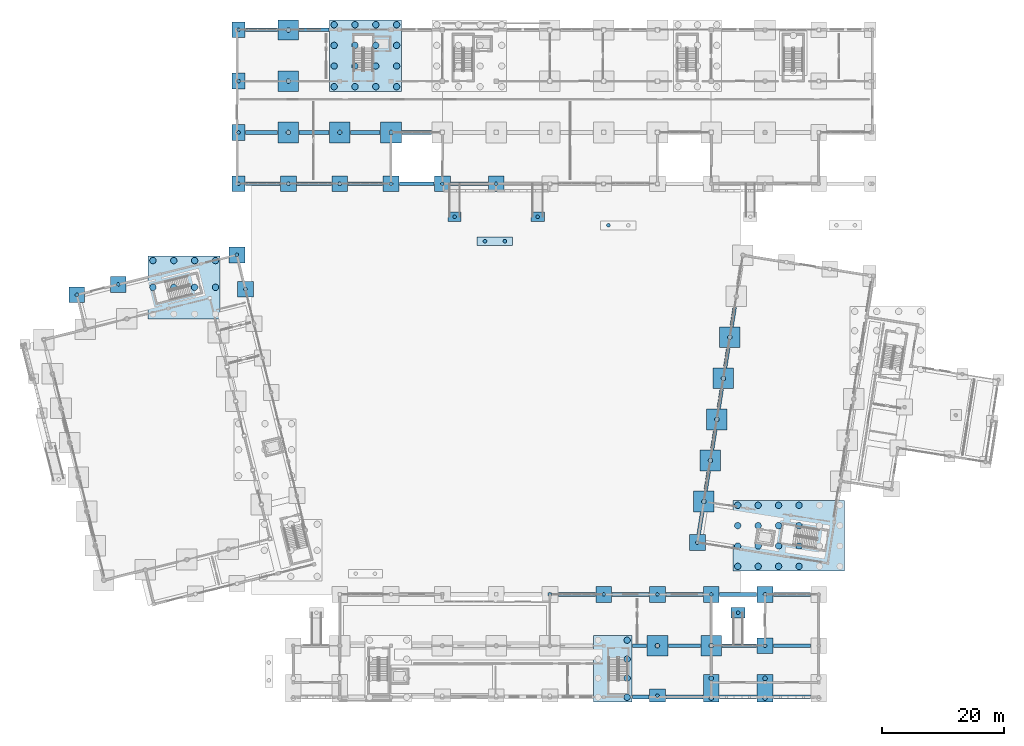
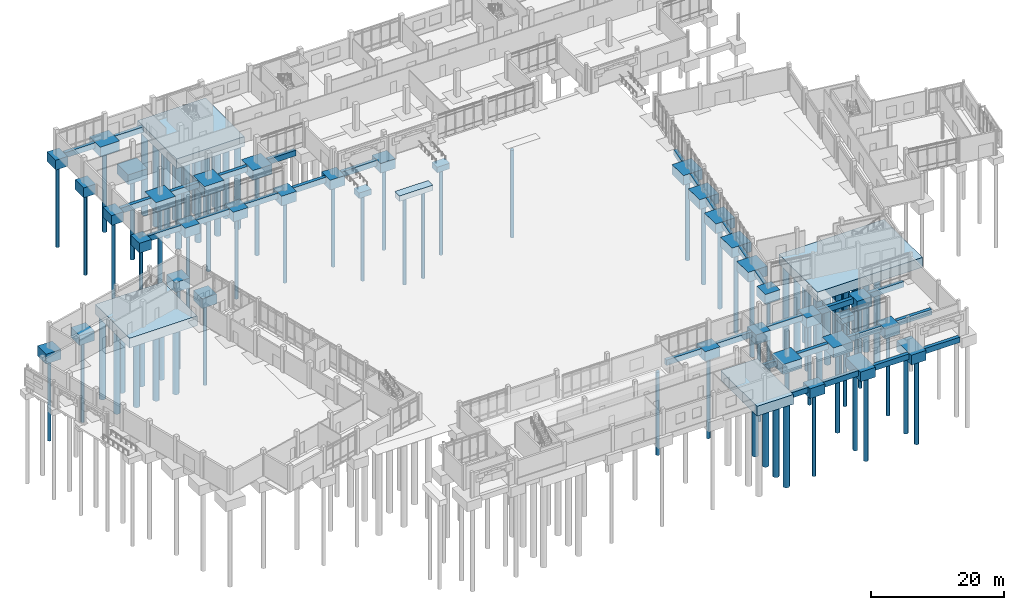
# One storey, part 2 of 72: 87 piles, 72 footings.
"""IFC4 building model written with IfcOpenShell, lengths in metres."""

import ifcopenshell
import ifcopenshell.guid

model = None  # the IFC model being written
_history = None  # IfcOwnerHistory: only IFC2X3 demands one
_inside = {}  # id of a spatial element -> (the spatial element, [elements in it])
_under = {}  # id of a project, library or spatial element -> (it, [spatial elements below it])
_declared = {}  # id of a project -> (the project, [libraries it declares])
_typed = {}  # id of a type object -> (the type object, [elements of that type])
_made_of = {}  # id of a material, layer set ... -> (it, [elements and type objects made of it])


def new_model(schema):
    """Start an empty IFC model of exactly this schema.

    Asked for "IFC4X3", IfcOpenShell would pick the latest addendum, in which some entities
    have other attributes; the version numbers below select the first issue.
    IFC2X3 requires an IfcOwnerHistory on every rooted entity: one is made here for all.
    """
    global model, _history
    if schema == "IFC4X3":
        model = ifcopenshell.file(schema_version=(4, 3, 0, 0))
    else:
        model = ifcopenshell.file(schema=schema)
    _inside.clear()
    _under.clear()
    _declared.clear()
    _typed.clear()
    _made_of.clear()
    _history = None
    if model.schema == "IFC2X3":
        org = make("IfcOrganization", Name="unknown")
        user = make(
            "IfcPersonAndOrganization",
            ThePerson=make("IfcPerson", FamilyName="unknown"),
            TheOrganization=org,
        )
        app = make(
            "IfcApplication",
            ApplicationDeveloper=org,
            Version="unknown",
            ApplicationFullName="unknown",
            ApplicationIdentifier="unknown",
        )
        _history = make(
            "IfcOwnerHistory",
            OwningUser=user,
            OwningApplication=app,
            ChangeAction="ADDED",
            CreationDate=0,
        )
    return model


def make(cls, **values):
    """One entity of the class cls with the attributes given. An attribute that is None is left unset."""
    return model.create_entity(
        cls, **{name: value for name, value in values.items() if value is not None}
    )


def rooted(cls, **values):
    """An entity with a GlobalId (a new one), such as an element, a storey or a relation."""
    return make(cls, GlobalId=ifcopenshell.guid.new(), OwnerHistory=_history, **values)


def si_unit(unit_type, name, prefix=None):
    """IfcSIUnit, for example si_unit("LENGTHUNIT", "METRE", prefix="MILLI")."""
    return make("IfcSIUnit", UnitType=unit_type, Prefix=prefix, Name=name)


def assignment(units):
    """IfcUnitAssignment: the units of a project."""
    return None if units is None else make("IfcUnitAssignment", Units=units)


def point(xyz):
    """IfcCartesianPoint."""
    return None if xyz is None else make("IfcCartesianPoint", Coordinates=xyz)


def direction(xyz):
    """IfcDirection."""
    return None if xyz is None else make("IfcDirection", DirectionRatios=xyz)


def frame(location, z_axis=None, x_axis=None):
    """IfcAxis2Placement3D, a coordinate frame: its origin and axes. An axis left out is left unset."""
    return make(
        "IfcAxis2Placement3D",
        Location=point(location),
        Axis=direction(z_axis),
        RefDirection=direction(x_axis),
    )


def frame_2d(location, x_axis=None):
    """IfcAxis2Placement2D, a coordinate frame in the plane: its origin and x axis."""
    return make(
        "IfcAxis2Placement2D", Location=point(location), RefDirection=direction(x_axis)
    )


def origin():
    """The frame at (0, 0, 0) with its axes left unset."""
    return frame((0.0, 0.0, 0.0))


def origin_2d():
    """The frame at (0, 0) in the plane with its x axis left unset."""
    return frame_2d((0.0, 0.0))


def place(relative_to, where):
    """IfcLocalPlacement: puts the frame where relative to a parent placement (None: the world)."""
    return make(
        "IfcLocalPlacement", PlacementRelTo=relative_to, RelativePlacement=where
    )


def context(
    kind, dimensions, precision=None, world=None, true_north=None, identifier=None
):
    """IfcGeometricRepresentationContext, for example the 3D "Model" context."""
    return make(
        "IfcGeometricRepresentationContext",
        ContextIdentifier=identifier,
        ContextType=kind,
        CoordinateSpaceDimension=dimensions,
        Precision=precision,
        WorldCoordinateSystem=world,
        TrueNorth=true_north,
    )


def subcontext(parent, identifier, kind, view, scale=None):
    """IfcGeometricRepresentationSubContext, for example "Body" below "Model"."""
    return make(
        "IfcGeometricRepresentationSubContext",
        ContextIdentifier=identifier,
        ContextType=kind,
        ParentContext=parent,
        TargetScale=scale,
        TargetView=view,
    )


def project(units=None, contexts=None):
    """IfcProject with its units and contexts."""
    return rooted(
        "IfcProject",
        Name="project",
        RepresentationContexts=contexts,
        UnitsInContext=assignment(units),
    )


def spatial(cls, under=None, at=None, **own):
    """A site, building, storey or space (cls), placed at a placement, below another one or the project."""
    s = rooted(cls, ObjectPlacement=at, **own)
    if under is not None:
        _under.setdefault(under.id(), (under, []))[1].append(s)
    return s


def profile(cls, at=None, kind="AREA", **sizes):
    """A parametric profile (cls). Its sizes go by their IFC names, for example OverallWidth=200.0."""
    return make(cls, ProfileType=kind, Position=at, **sizes)


def rectangle(**sizes):
    """IfcRectangleProfileDef."""
    return profile("IfcRectangleProfileDef", **sizes)


def circle(**sizes):
    """IfcCircleProfileDef."""
    return profile("IfcCircleProfileDef", **sizes)


def extrude(swept, where, along, depth):
    """IfcExtrudedAreaSolid: the profile swept, set in the frame where, extruded along a direction by depth."""
    return make(
        "IfcExtrudedAreaSolid",
        SweptArea=swept,
        Position=where,
        ExtrudedDirection=direction(along),
        Depth=depth,
    )


def shape(context_of_items, identifier, shape_type, items):
    """IfcShapeRepresentation: the items that make up one representation, for example the "Body"."""
    return make(
        "IfcShapeRepresentation",
        ContextOfItems=context_of_items,
        RepresentationIdentifier=identifier,
        RepresentationType=shape_type,
        Items=items,
    )


def material(Name=None, Category=None):
    """IfcMaterial."""
    return make("IfcMaterial", Name=Name, Category=Category)


def material_profile(
    of_material, cross_section, Name=None, Category=None, Priority=None
):
    """IfcMaterialProfile: a cross section and its material."""
    return make(
        "IfcMaterialProfile",
        Name=Name,
        Material=of_material,
        Profile=cross_section,
        Priority=Priority,
        Category=Category,
    )


def profile_set(profiles, Name=None, composite=None):
    """IfcMaterialProfileSet."""
    return make(
        "IfcMaterialProfileSet",
        Name=Name,
        MaterialProfiles=profiles,
        CompositeProfile=composite,
    )


def made_of(thing, what):
    """Note that an element or type object is made of a material, layer set ...; save() writes the relation."""
    if what is not None:
        _made_of.setdefault(what.id(), (what, []))[1].append(thing)
    return thing


def type_object(cls, material=None, **own):
    """A type object (cls), such as IfcWallType, which elements share."""
    return made_of(rooted(cls, **own), material)


def element(
    cls,
    number,
    at=None,
    inside=None,
    cuts=None,
    type_object=None,
    material=None,
    context=None,
    identifier="Body",
    shape_type=None,
    held_by="IfcProductDefinitionShape",
    body=None,
    shapes=None,
    **own,
):
    """One element of the class cls, such as IfcWall. Its Tag is "e" and its number.

    at: its placement. inside: the storey or other place that contains it. cuts: it is an
    opening in that element (IfcRelVoidsElement). A single representation is given by context,
    identifier, shape_type and body (its items); several are given by shapes. held_by: the class
    of the entity that holds the representations. save() writes the other relations.
    """
    e = rooted(cls, Tag="e%d" % number, ObjectPlacement=at, **own)
    if body is not None:
        shapes = [shape(context, identifier, shape_type, body)]
    if shapes is not None:
        e.Representation = make(held_by, Representations=shapes)
    if inside is not None:
        _inside.setdefault(inside.id(), (inside, []))[1].append(e)
    if cuts is not None:
        rooted(
            "IfcRelVoidsElement", RelatingBuildingElement=cuts, RelatedOpeningElement=e
        )
    if type_object is not None:
        _typed.setdefault(type_object.id(), (type_object, []))[1].append(e)
    return made_of(e, material)


def aggregate(whole, parts):
    """IfcRelAggregates: a whole, such as a stair, and the parts it consists of."""
    return rooted("IfcRelAggregates", RelatingObject=whole, RelatedObjects=parts)


def save(model, path):
    """Write the relations noted so far, then the file.

    IfcRelAggregates (storeys below a building ...), IfcRelContainedInSpatialStructure (elements
    in a storey), IfcRelDefinesByType, IfcRelAssociatesMaterial and IfcRelDeclares: one each for
    every whole, place, type object, material and project.
    """
    for whole, parts in _under.values():
        aggregate(whole, parts)
    for where, things in _inside.values():
        rooted(
            "IfcRelContainedInSpatialStructure",
            RelatedElements=things,
            RelatingStructure=where,
        )
    for kind, things in _typed.values():
        rooted("IfcRelDefinesByType", RelatedObjects=things, RelatingType=kind)
    for what, things in _made_of.values():
        rooted("IfcRelAssociatesMaterial", RelatedObjects=things, RelatingMaterial=what)
    for by, libraries in _declared.values():
        rooted("IfcRelDeclares", RelatingContext=by, RelatedDefinitions=libraries)
    model.write(path)


model = new_model("IFC4")

# Units and contexts
model_context = context("Model", 3, precision=1e-05, world=origin(), true_north=direction((0.0, 1.0)))
body_context = subcontext(model_context, "Body", "Model", "MODEL_VIEW")
ifc_project = project(units=[si_unit("LENGTHUNIT", "METRE"), si_unit("AREAUNIT", "SQUARE_METRE"), si_unit("VOLUMEUNIT", "CUBIC_METRE"), si_unit("PLANEANGLEUNIT", "RADIAN"), si_unit("MASSUNIT", "GRAM", prefix="KILO")], contexts=[model_context])

# Site, building, storey
site_placement = place(None, origin())
site = spatial("IfcSite", under=ifc_project, at=site_placement, CompositionType="ELEMENT")
building_placement = place(site_placement, origin())
building = spatial("IfcBuilding", under=site, at=building_placement, Name="Cinderway Yard Community Centre", CompositionType="ELEMENT")
storey_placement = place(building_placement, origin())
storey = spatial("IfcBuildingStorey", under=building, at=storey_placement, Name="L00", CompositionType="ELEMENT", Elevation=0.0)

# Footings
ifc_material = material(Name="Concrete C40/50", Category="concrete")
footing_type_1 = type_object("IfcFootingType", Name="STR-FTG-PC01", PredefinedType="PILE_CAP", material=ifc_material)
for number, where, z_axis, x_axis, name in (
    (1, (119.199951171875, 7.445068359375, -1.7998046875), (0.0, 0.0, 1.0), (1.0, 0.0, 0.0), "Multi-pile cap 009"),
    (2, (128.0, 7.445068359375, -1.7998046875), (0.0, 0.0, 1.0), (1.0, 0.0, 0.0), "Multi-pile cap 010"),
):
    element("IfcFooting", number, at=place(storey_placement, frame(where, z_axis=z_axis, x_axis=x_axis)), inside=storey, type_object=footing_type_1, Name=name, PredefinedType="PILE_CAP", context=body_context, shape_type="SweptSolid", body=[
        extrude(rectangle(XDim=2.580078125, YDim=4.489990234375, at=origin_2d()), origin(), (0.0, 0.0, 1.0), 1.800048828125),
    ])
footing_type_2 = type_object("IfcFootingType", Name="STR-FTG-PC03", PredefinedType="PILE_CAP", material=ifc_material)
footing_1_placement = place(storey_placement, frame((110.39990234375, 6.2451171875, -1.7998046875), z_axis=(0.0, 0.0, 1.0), x_axis=(1.0, 0.0, 0.0)))
element("IfcFooting", 3, at=footing_1_placement, inside=storey, type_object=footing_type_2, Name="Multi-pile cap 008", PredefinedType="PILE_CAP", context=body_context, shape_type="SweptSolid", body=[
    extrude(rectangle(XDim=2.580078125, YDim=2.090087890625, at=origin_2d()), origin(), (0.0, 0.0, 1.0), 1.800048828125),
])
footing_type_3 = type_object("IfcFootingType", Name="STR-FTG-PC04", PredefinedType="PILE_CAP", material=ifc_material)
footing_2_placement = place(storey_placement, frame((103.06005859375, 10.64501953125, -1.7998046875), z_axis=(0.0, 0.0, 1.0), x_axis=(1.0, 0.0, 0.0)))
element("IfcFooting", 4, at=footing_2_placement, inside=storey, type_object=footing_type_3, Name="Multi-pile cap 007", PredefinedType="PILE_CAP", context=body_context, shape_type="SweptSolid", body=[
    extrude(rectangle(XDim=6.300048828125, YDim=10.889892578125, at=origin_2d()), origin(), (0.0, 0.0, 1.0), 1.800048828125),
])
footing_type_4 = type_object("IfcFootingType", Name="STR-FTG-PC05", PredefinedType="PILE_CAP", material=ifc_material)
for number, where, z_axis, x_axis, name in (
    (5, (110.39990234375, 14.39990234375, -1.7998046875), (0.0, 0.0, 1.0), (1.0, 0.0, 0.0), "Multi-pile cap 016"),
    (6, (119.199951171875, 14.39990234375, -1.7998046875), (0.0, 0.0, 1.0), (1.0, 0.0, 0.0), "Multi-pile cap 017"),
    (7, (118.0, 38.0, -1.7998046875), (0.0, 0.0, 1.0), (1.0, 0.0, 0.0), "Multi-pile cap 043"),
    (8, (119.06396484375, 44.716064453125, -1.7998046875), (0.0, 0.0, 1.0), (1.0, 0.0, 0.0), "Multi-pile cap 049"),
    (9, (120.1279296875, 51.43310546875, -1.7998046875), (0.0, 0.0, 1.0), (1.0, 0.0, 0.0), "Multi-pile cap 053"),
    (10, (121.19091796875, 58.14892578125, -1.7998046875), (0.0, 0.0, 1.0), (1.0, 0.0, 0.0), "Multi-pile cap 059"),
    (11, (122.2548828125, 64.864990234375, -1.7998046875), (0.0, 0.0, 1.0), (1.0, 0.0, 0.0), "Multi-pile cap 065"),
    (12, (50.0, 98.39990234375, -1.7998046875), (0.0, 0.0, 1.0), (1.0, 0.0, 0.0), "Multi-pile cap 093"),
    (13, (58.39990234375, 98.39990234375, -1.7998046875), (0.0, 0.0, 1.0), (1.0, 0.0, 0.0), "Multi-pile cap 094"),
    (14, (66.800048828125, 98.39990234375, -1.7998046875), (0.0, 0.0, 1.0), (1.0, 0.0, 0.0), "Multi-pile cap 095"),
    (15, (50.0, 106.800048828125, -1.7998046875), (0.0, 0.0, 1.0), (1.0, 0.0, 0.0), "Multi-pile cap 106"),
):
    element("IfcFooting", number, at=place(storey_placement, frame(where, z_axis=z_axis, x_axis=x_axis)), inside=storey, type_object=footing_type_4, Name=name, PredefinedType="PILE_CAP", context=body_context, shape_type="SweptSolid", body=[
        extrude(rectangle(XDim=3.3798828125, YDim=3.3798828125, at=origin_2d()), origin(), (0.0, 0.0, 1.0), 1.800048828125),
    ])
footing_type_5 = type_object("IfcFootingType", Name="STR-FTG-PC06", PredefinedType="PILE_CAP", material=ifc_material)
for number, where, z_axis, x_axis, name in (
    (16, (128.0, 14.39990234375, -1.7998046875), (0.0, 0.0, 1.0), (1.0, 0.0, 0.0), "Multi-pile cap 019"),
    (17, (101.60009765625, 22.800048828125, -1.7998046875), (0.0, 0.0, 1.0), (1.0, 0.0, 0.0), "Multi-pile cap 026"),
    (18, (110.39990234375, 22.800048828125, -1.7998046875), (0.0, 0.0, 1.0), (1.0, 0.0, 0.0), "Multi-pile cap 027"),
    (19, (119.199951171875, 22.800048828125, -1.7998046875), (0.0, 0.0, 1.0), (1.0, 0.0, 0.0), "Multi-pile cap 028"),
    (20, (128.0, 22.800048828125, -1.7998046875), (0.0, 0.0, 1.0), (1.0, 0.0, 0.0), "Multi-pile cap 029"),
    (21, (116.93603515625, 31.283935546875, -1.7998046875), (0.0, 0.0, 1.0), (1.0, 0.0, 0.0), "Multi-pile cap 040"),
    (22, (15.3759765625, 71.83203125, -1.7998046875), (0.0, 0.0, 1.0), (1.0, 0.0, 0.0), "Multi-pile cap 072"),
    (23, (42.97705078125, 72.736083984375, -1.7998046875), (0.0, 0.0, 1.0), (1.0, 0.0, 0.0), "Multi-pile cap 073"),
    (24, (22.16796875, 73.52490234375, -1.7998046875), (0.0, 0.0, 1.0), (1.0, 0.0, 0.0), "Multi-pile cap 074"),
    (25, (41.573974609375, 78.364013671875, -1.7998046875), (0.0, 0.0, 1.0), (1.0, 0.0, 0.0), "Multi-pile cap 079"),
    (26, (50.0, 90.0, -1.7998046875), (0.0, 0.0, 1.0), (1.0, 0.0, 0.0), "Multi-pile cap 081"),
    (27, (58.39990234375, 90.0, -1.7998046875), (0.0, 0.0, 1.0), (1.0, 0.0, 0.0), "Multi-pile cap 082"),
    (28, (66.800048828125, 90.0, -1.7998046875), (0.0, 0.0, 1.0), (1.0, 0.0, 0.0), "Multi-pile cap 083"),
    (29, (75.199951171875, 90.0, -1.7998046875), (0.0, 0.0, 1.0), (1.0, 0.0, 0.0), "Multi-pile cap 084"),
    (30, (84.0, 90.0, -1.7998046875), (0.0, 0.0, 1.0), (1.0, 0.0, 0.0), "Multi-pile cap 085"),
):
    element("IfcFooting", number, at=place(storey_placement, frame(where, z_axis=z_axis, x_axis=x_axis)), inside=storey, type_object=footing_type_5, Name=name, PredefinedType="PILE_CAP", context=body_context, shape_type="SweptSolid", body=[
        extrude(rectangle(XDim=2.580078125, YDim=2.580078125, at=origin_2d()), origin(), (0.0, 0.0, 1.0), 1.800048828125),
    ])
footing_type_6 = type_object("IfcFootingType", Name="STR-FTG-PC08", PredefinedType="PILE_CAP", material=ifc_material)
footing_3_placement = place(storey_placement, frame((131.89111328125, 32.388916015625, -1.7998046875), z_axis=(0.0, 0.0, 1.0), x_axis=(1.0, 0.0, 0.0)))
element("IfcFooting", 31, at=footing_3_placement, inside=storey, type_object=footing_type_6, Name="Multi-pile cap 036", PredefinedType="PILE_CAP", context=body_context, shape_type="SweptSolid", body=[
    extrude(rectangle(XDim=18.26611328125, YDim=11.549072265625, at=origin_2d()), origin(), (0.0, 0.0, 1.0), 1.800048828125),
])
footing_type_7 = type_object("IfcFootingType", Name="STR-FTG-PC11", PredefinedType="PILE_CAP", material=ifc_material)
footing_4_placement = place(storey_placement, frame((32.951904296875, 73.052001953125, -1.7998046875), z_axis=(0.0, 0.0, 1.0), x_axis=(1.0, 0.0, 0.0)))
element("IfcFooting", 32, at=footing_4_placement, inside=storey, type_object=footing_type_7, Name="Multi-pile cap 070", PredefinedType="PILE_CAP", context=body_context, shape_type="SweptSolid", body=[
    extrude(rectangle(XDim=11.7880859375, YDim=10.301025390625, at=origin_2d()), origin(), (0.0, 0.0, 1.0), 1.800048828125),
])
footing_type_8 = type_object("IfcFootingType", Name="STR-FTG-PC13", PredefinedType="PILE_CAP", material=ifc_material)
for number, where, z_axis, x_axis, name in (
    (33, (41.844970703125, 90.0, -1.7998046875), (0.0, 0.0, 1.0), (1.0, 0.0, 0.0), "Multi-pile cap 080"),
    (34, (41.844970703125, 98.39990234375, -1.7998046875), (0.0, 0.0, 1.0), (1.0, 0.0, 0.0), "Multi-pile cap 103"),
    (35, (41.844970703125, 106.800048828125, -1.7998046875), (0.0, 0.0, 1.0), (1.0, 0.0, 0.0), "Multi-pile cap 114"),
    (36, (41.844970703125, 115.199951171875, -1.7998046875), (0.0, 0.0, 1.0), (1.0, 0.0, 0.0), "Multi-pile cap 123"),
):
    element("IfcFooting", number, at=place(storey_placement, frame(where, z_axis=z_axis, x_axis=x_axis)), inside=storey, type_object=footing_type_8, Name=name, PredefinedType="PILE_CAP", context=body_context, shape_type="SweptSolid", body=[
        extrude(rectangle(XDim=2.090087890625, YDim=2.580078125, at=origin_2d()), origin(), (0.0, 0.0, 1.0), 1.800048828125),
    ])
footing_type_9 = type_object("IfcFootingType", Name="STR-FTG-PC15", PredefinedType="PILE_CAP", material=ifc_material)
footing_5_placement = place(storey_placement, frame((62.60009765625, 110.955078125, -1.7998046875), z_axis=(0.0, 0.0, 1.0), x_axis=(1.0, 0.0, 0.0)))
element("IfcFooting", 37, at=footing_5_placement, inside=storey, type_object=footing_type_9, Name="Multi-pile cap 107", PredefinedType="PILE_CAP", context=body_context, shape_type="SweptSolid", body=[
    extrude(rectangle(XDim=11.780029296875, YDim=11.68994140625, at=origin_2d()), origin(), (0.0, 0.0, 1.0), 1.800048828125),
])
footing_type_10 = type_object("IfcFootingType", Name="STR-FTG-PC19", PredefinedType="PILE_CAP", material=ifc_material)
footing_6_placement = place(storey_placement, frame((50.0, 115.155029296875, -1.7998046875), z_axis=(0.0, 0.0, 1.0), x_axis=(1.0, 0.0, 0.0)))
element("IfcFooting", 38, at=footing_6_placement, inside=storey, type_object=footing_type_10, Name="Multi-pile cap 118", PredefinedType="PILE_CAP", context=body_context, shape_type="SweptSolid", body=[
    extrude(rectangle(XDim=3.3798828125, YDim=3.2900390625, at=origin_2d()), origin(), (0.0, 0.0, 1.0), 1.800048828125),
])
footing_type_11 = type_object("IfcFootingType", Name="STR-FTG-RMP-01", PredefinedType="PAD_FOOTING", material=ifc_material)
footing_7_placement = place(storey_placement, frame((77.199951171875, 84.60009765625, -1.2001953125), z_axis=(0.0, 0.0, 1.0), x_axis=(1.0, 0.0, 0.0)))
element("IfcFooting", 39, at=footing_7_placement, inside=storey, type_object=footing_type_11, Name="Ramp toe footing 01", PredefinedType="PAD_FOOTING", context=body_context, shape_type="SweptSolid", body=[
    extrude(rectangle(XDim=2.139892578125, YDim=1.5400390625, at=origin_2d()), origin(), (0.0, 0.0, 1.0), 1.030029296875),
])
footing_type_12 = type_object("IfcFootingType", Name="STR-FTG-RMP-02", PredefinedType="PAD_FOOTING", material=ifc_material)
footing_8_placement = place(storey_placement, frame((90.800048828125, 84.60009765625, -1.2001953125), z_axis=(0.0, 0.0, 1.0), x_axis=(1.0, 0.0, 0.0)))
element("IfcFooting", 40, at=footing_8_placement, inside=storey, type_object=footing_type_12, Name="Ramp toe footing 02", PredefinedType="PAD_FOOTING", context=body_context, shape_type="SweptSolid", body=[
    extrude(rectangle(XDim=2.179931640625, YDim=1.580078125, at=origin_2d()), origin(), (0.0, 0.0, 1.0), 1.030029296875),
])
footing_type_13 = type_object("IfcFootingType", Name="STR-FTG-RMP-05", PredefinedType="PAD_FOOTING", material=ifc_material)
footing_9_placement = place(storey_placement, frame((123.60009765625, 19.800048828125, -1.2001953125), z_axis=(0.0, 0.0, 1.0), x_axis=(1.0, 0.0, 0.0)))
element("IfcFooting", 41, at=footing_9_placement, inside=storey, type_object=footing_type_13, Name="Ramp toe footing 05", PredefinedType="PAD_FOOTING", context=body_context, shape_type="SweptSolid", body=[
    extrude(rectangle(XDim=2.300048828125, YDim=1.699951171875, at=origin_2d()), origin(), (0.0, 0.0, 1.0), 1.030029296875),
])
footing_type_14 = type_object("IfcFootingType", Name="STR-FTG-STRP-03", PredefinedType="STRIP_FOOTING", material=ifc_material)
footing_10_placement = place(storey_placement, frame((83.800048828125, 80.60009765625, -1.0), z_axis=(0.0, 0.0, 1.0), x_axis=(1.0, 0.0, 0.0)))
element("IfcFooting", 42, at=footing_10_placement, inside=storey, type_object=footing_type_14, Name="Strip footing 03", PredefinedType="STRIP_FOOTING", context=body_context, shape_type="SweptSolid", body=[
    extrude(rectangle(XDim=5.800048828125, YDim=1.39990234375, at=origin_2d()), origin(), (0.0, 0.0, 1.0), 1.0),
])
footing_type_15 = type_object("IfcFootingType", Name="STR-FTG-TIE600", PredefinedType="FOOTING_BEAM", material=ifc_material)
footing_11_placement = place(storey_placement, frame((45.60009765625, 98.39990234375, -1.0), z_axis=(0.0, 0.0, 1.0), x_axis=(1.0, 0.0, 0.0)))
element("IfcFooting", 43, at=footing_11_placement, inside=storey, type_object=footing_type_15, Name="Seismic tie beam 001", PredefinedType="FOOTING_BEAM", context=body_context, shape_type="SweptSolid", body=[
    extrude(rectangle(XDim=5.260009765625, YDim=0.60009765625, at=origin_2d()), origin(), (0.0, 0.0, 1.0), 1.0),
])
for number, where, z_axis, x_axis, name in (
    (44, (54.199951171875, 98.39990234375, -1.0), (0.0, 0.0, 1.0), (1.0, 0.0, 0.0), "Seismic tie beam 002"),
    (45, (62.60009765625, 98.39990234375, -1.0), (0.0, 0.0, 1.0), (1.0, 0.0, 0.0), "Seismic tie beam 003"),
    (46, (71.0, 98.39990234375, -1.0), (0.0, 0.0, 1.0), (1.0, 0.0, 0.0), "Seismic tie beam 004"),
):
    element("IfcFooting", number, at=place(storey_placement, frame(where, z_axis=z_axis, x_axis=x_axis)), inside=storey, type_object=footing_type_15, Name=name, PredefinedType="FOOTING_BEAM", context=body_context, shape_type="SweptSolid", body=[
        extrude(rectangle(XDim=4.860107421875, YDim=0.60009765625, at=origin_2d()), origin(), (0.0, 0.0, 1.0), 1.0),
    ])
footing_12_placement = place(storey_placement, frame((45.60009765625, 115.199951171875, -1.0), z_axis=(0.0, 0.0, 1.0), x_axis=(1.0, 0.0, 0.0)))
element("IfcFooting", 47, at=footing_12_placement, inside=storey, type_object=footing_type_15, Name="Seismic tie beam 013", PredefinedType="FOOTING_BEAM", context=body_context, shape_type="SweptSolid", body=[
    extrude(rectangle(XDim=5.260009765625, YDim=0.60009765625, at=origin_2d()), origin(), (0.0, 0.0, 1.0), 1.0),
])
footing_13_placement = place(storey_placement, frame((54.199951171875, 115.199951171875, -1.0), z_axis=(0.0, 0.0, 1.0), x_axis=(1.0, 0.0, 0.0)))
element("IfcFooting", 48, at=footing_13_placement, inside=storey, type_object=footing_type_15, Name="Seismic tie beam 014", PredefinedType="FOOTING_BEAM", context=body_context, shape_type="SweptSolid", body=[
    extrude(rectangle(XDim=4.860107421875, YDim=0.60009765625, at=origin_2d()), origin(), (0.0, 0.0, 1.0), 1.0),
])
for number, where, z_axis, x_axis, name in (
    (49, (45.800048828125, 90.0, -1.0), (0.0, 0.0, 1.0), (1.0, 0.0, 0.0), "Seismic tie beam 021"),
    (50, (54.199951171875, 90.0, -1.0), (0.0, 0.0, 1.0), (1.0, 0.0, 0.0), "Seismic tie beam 022"),
    (51, (62.60009765625, 90.0, -1.0), (0.0, 0.0, 1.0), (1.0, 0.0, 0.0), "Seismic tie beam 023"),
    (52, (71.0, 90.0, -1.0), (0.0, 0.0, 1.0), (1.0, 0.0, 0.0), "Seismic tie beam 024"),
):
    element("IfcFooting", number, at=place(storey_placement, frame(where, z_axis=z_axis, x_axis=x_axis)), inside=storey, type_object=footing_type_15, Name=name, PredefinedType="FOOTING_BEAM", context=body_context, shape_type="SweptSolid", body=[
        extrude(rectangle(XDim=5.659912109375, YDim=0.60009765625, at=origin_2d()), origin(), (0.0, 0.0, 1.0), 1.0),
    ])
footing_14_placement = place(storey_placement, frame((79.60009765625, 90.0, -1.0), z_axis=(0.0, 0.0, 1.0), x_axis=(1.0, 0.0, 0.0)))
element("IfcFooting", 53, at=footing_14_placement, inside=storey, type_object=footing_type_15, Name="Seismic tie beam 025", PredefinedType="FOOTING_BEAM", context=body_context, shape_type="SweptSolid", body=[
    extrude(rectangle(XDim=6.06005859375, YDim=0.60009765625, at=origin_2d()), origin(), (0.0, 0.0, 1.0), 1.0),
])
footing_15_placement = place(storey_placement, frame((107.659912109375, 6.0, -1.0), z_axis=(0.0, 0.0, 1.0), x_axis=(1.0, 0.0, 0.0)))
element("IfcFooting", 54, at=footing_15_placement, inside=storey, type_object=footing_type_15, Name="Seismic tie beam 039", PredefinedType="FOOTING_BEAM", context=body_context, shape_type="SweptSolid", body=[
    extrude(rectangle(XDim=2.739990234375, YDim=0.60009765625, at=origin_2d()), origin(), (0.0, 0.0, 1.0), 1.0),
])
for number, where, z_axis, x_axis, name in (
    (55, (114.800048828125, 6.0, -1.0), (0.0, 0.0, 1.0), (1.0, 0.0, 0.0), "Seismic tie beam 040"),
    (56, (123.60009765625, 6.0, -1.0), (0.0, 0.0, 1.0), (1.0, 0.0, 0.0), "Seismic tie beam 041"),
    (57, (132.39990234375, 6.0, -1.0), (0.0, 0.0, 1.0), (1.0, 0.0, 0.0), "Seismic tie beam 042"),
):
    element("IfcFooting", number, at=place(storey_placement, frame(where, z_axis=z_axis, x_axis=x_axis)), inside=storey, type_object=footing_type_15, Name=name, PredefinedType="FOOTING_BEAM", context=body_context, shape_type="SweptSolid", body=[
        extrude(rectangle(XDim=6.06005859375, YDim=0.60009765625, at=origin_2d()), origin(), (0.0, 0.0, 1.0), 1.0),
    ])
footing_16_placement = place(storey_placement, frame((107.4599609375, 14.39990234375, -1.0), z_axis=(0.0, 0.0, 1.0), x_axis=(1.0, 0.0, 0.0)))
element("IfcFooting", 58, at=footing_16_placement, inside=storey, type_object=footing_type_15, Name="Seismic tie beam 049", PredefinedType="FOOTING_BEAM", context=body_context, shape_type="SweptSolid", body=[
    extrude(rectangle(XDim=2.340087890625, YDim=0.60009765625, at=origin_2d()), origin(), (0.0, 0.0, 1.0), 1.0),
])
footing_17_placement = place(storey_placement, frame((114.800048828125, 14.39990234375, -1.0), z_axis=(0.0, 0.0, 1.0), x_axis=(1.0, 0.0, 0.0)))
element("IfcFooting", 59, at=footing_17_placement, inside=storey, type_object=footing_type_15, Name="Seismic tie beam 050", PredefinedType="FOOTING_BEAM", context=body_context, shape_type="SweptSolid", body=[
    extrude(rectangle(XDim=5.260009765625, YDim=0.60009765625, at=origin_2d()), origin(), (0.0, 0.0, 1.0), 1.0),
])
footing_18_placement = place(storey_placement, frame((123.800048828125, 14.39990234375, -1.0), z_axis=(0.0, 0.0, 1.0), x_axis=(1.0, 0.0, 0.0)))
element("IfcFooting", 60, at=footing_18_placement, inside=storey, type_object=footing_type_15, Name="Seismic tie beam 051", PredefinedType="FOOTING_BEAM", context=body_context, shape_type="SweptSolid", body=[
    extrude(rectangle(XDim=5.659912109375, YDim=0.60009765625, at=origin_2d()), origin(), (0.0, 0.0, 1.0), 1.0),
])
for number, where, z_axis, x_axis, name in (
    (61, (132.39990234375, 14.39990234375, -1.0), (0.0, 0.0, 1.0), (1.0, 0.0, 0.0), "Seismic tie beam 052"),
    (62, (97.199951171875, 22.800048828125, -1.0), (0.0, 0.0, 1.0), (1.0, 0.0, 0.0), "Seismic tie beam 057"),
    (63, (106.0, 22.800048828125, -1.0), (0.0, 0.0, 1.0), (1.0, 0.0, 0.0), "Seismic tie beam 058"),
    (64, (114.800048828125, 22.800048828125, -1.0), (0.0, 0.0, 1.0), (1.0, 0.0, 0.0), "Seismic tie beam 059"),
    (65, (123.60009765625, 22.800048828125, -1.0), (0.0, 0.0, 1.0), (1.0, 0.0, 0.0), "Seismic tie beam 060"),
    (66, (132.39990234375, 22.800048828125, -1.0), (0.0, 0.0, 1.0), (1.0, 0.0, 0.0), "Seismic tie beam 061"),
):
    element("IfcFooting", number, at=place(storey_placement, frame(where, z_axis=z_axis, x_axis=x_axis)), inside=storey, type_object=footing_type_15, Name=name, PredefinedType="FOOTING_BEAM", context=body_context, shape_type="SweptSolid", body=[
        extrude(rectangle(XDim=6.06005859375, YDim=0.60009765625, at=origin_2d()), origin(), (0.0, 0.0, 1.0), 1.0),
    ])
footing_19_placement = place(storey_placement, frame((117.43603515625, 34.44189453125, -1.0), z_axis=(0.0, 0.0, 1.0), x_axis=(0.15645170343, 0.987685610148, 0.0)))
element("IfcFooting", 67, at=footing_19_placement, inside=storey, type_object=footing_type_15, Name="Seismic tie beam 072", PredefinedType="FOOTING_BEAM", context=body_context, shape_type="SweptSolid", body=[
    extrude(rectangle(XDim=3.62109375, YDim=0.60009765625, at=origin_2d()), origin(), (0.0, 0.0, 1.0), 1.0),
])
footing_20_placement = place(storey_placement, frame((118.531982421875, 41.35791015625, -1.0), z_axis=(0.0, 0.0, 1.0), x_axis=(0.15645170343, 0.987685610148, 0.0)))
element("IfcFooting", 68, at=footing_20_placement, inside=storey, type_object=footing_type_15, Name="Seismic tie beam 073", PredefinedType="FOOTING_BEAM", context=body_context, shape_type="SweptSolid", body=[
    extrude(rectangle(XDim=3.216064453125, YDim=0.60009765625, at=origin_2d()), origin(), (0.0, 0.0, 1.0), 1.0),
])
footing_21_placement = place(storey_placement, frame((119.595947265625, 48.074951171875, -1.0), z_axis=(0.0, 0.0, 1.0), x_axis=(0.15645170343, 0.987685610148, 0.0)))
element("IfcFooting", 69, at=footing_21_placement, inside=storey, type_object=footing_type_15, Name="Seismic tie beam 074", PredefinedType="FOOTING_BEAM", context=body_context, shape_type="SweptSolid", body=[
    extrude(rectangle(XDim=3.217041015625, YDim=0.60009765625, at=origin_2d()), origin(), (0.0, 0.0, 1.0), 1.0),
])
for number, where, z_axis, x_axis, name in (
    (70, (120.659912109375, 54.791015625, -1.0), (0.0, 0.0, 1.0), (0.15645170343, 0.987685610148, 0.0), "Seismic tie beam 075"),
    (71, (121.722900390625, 61.507080078125, -1.0), (0.0, 0.0, 1.0), (0.15645170343, 0.987685610148, 0.0), "Seismic tie beam 076"),
    (72, (122.787109375, 68.222900390625, -1.0), (0.0, 0.0, 1.0), (0.15645170343, 0.987685610148, 0.0), "Seismic tie beam 077"),
):
    element("IfcFooting", number, at=place(storey_placement, frame(where, z_axis=z_axis, x_axis=x_axis)), inside=storey, type_object=footing_type_15, Name=name, PredefinedType="FOOTING_BEAM", context=body_context, shape_type="SweptSolid", body=[
        extrude(rectangle(XDim=3.216064453125, YDim=0.60009765625, at=origin_2d()), origin(), (0.0, 0.0, 1.0), 1.0),
    ])

# Piles
ifc_material_profile_1 = material_profile(ifc_material, circle(Radius=0.52490234375, at=origin_2d()), Name="Concrete C40/50")
ifc_profile_set_1 = profile_set([ifc_material_profile_1], Name="Concrete C40/50")
pile_type_1 = type_object("IfcPileType", Name="STR-PILE-D1050", PredefinedType="BORED", material=ifc_profile_set_1)
for number, where, z_axis, x_axis, name in (
    (73, (105.43505859375, 5.97509765625, -1.699951171875), (0.0, 0.0, -1.0), (1.0, 0.0, 0.0), "Bored pile 0020"),
    (74, (105.43505859375, 9.087890625, -1.699951171875), (0.0, 0.0, -1.0), (1.0, 0.0, 0.0), "Bored pile 0021"),
    (75, (105.43505859375, 12.201904296875, -1.699951171875), (0.0, 0.0, -1.0), (1.0, 0.0, 0.0), "Bored pile 0022"),
    (76, (105.43505859375, 15.31494140625, -1.699951171875), (0.0, 0.0, -1.0), (1.0, 0.0, 0.0), "Bored pile 0023"),
    (77, (123.532958984375, 27.389892578125, -1.699951171875), (0.0, 0.0, -1.0), (1.0, 0.0, 0.0), "Bored pile 0063"),
    (78, (123.532958984375, 30.722900390625, -1.699951171875), (0.0, 0.0, -1.0), (1.0, 0.0, 0.0), "Bored pile 0064"),
    (79, (123.532958984375, 34.055908203125, -1.699951171875), (0.0, 0.0, -1.0), (1.0, 0.0, 0.0), "Bored pile 0065"),
    (80, (123.532958984375, 37.388916015625, -1.699951171875), (0.0, 0.0, -1.0), (1.0, 0.0, 0.0), "Bored pile 0066"),
    (81, (126.8759765625, 27.389892578125, -1.699951171875), (0.0, 0.0, -1.0), (1.0, 0.0, 0.0), "Bored pile 0067"),
    (82, (126.8759765625, 30.722900390625, -1.699951171875), (0.0, 0.0, -1.0), (1.0, 0.0, 0.0), "Bored pile 0068"),
    (83, (126.8759765625, 34.055908203125, -1.699951171875), (0.0, 0.0, -1.0), (1.0, 0.0, 0.0), "Bored pile 0069"),
    (84, (126.8759765625, 37.388916015625, -1.699951171875), (0.0, 0.0, -1.0), (1.0, 0.0, 0.0), "Bored pile 0070"),
    (85, (130.218994140625, 27.389892578125, -1.699951171875), (0.0, 0.0, -1.0), (1.0, 0.0, 0.0), "Bored pile 0071"),
    (86, (130.218994140625, 30.722900390625, -1.699951171875), (0.0, 0.0, -1.0), (1.0, 0.0, 0.0), "Bored pile 0072"),
    (87, (130.218994140625, 34.055908203125, -1.699951171875), (0.0, 0.0, -1.0), (1.0, 0.0, 0.0), "Bored pile 0073"),
    (88, (130.218994140625, 37.388916015625, -1.699951171875), (0.0, 0.0, -1.0), (1.0, 0.0, 0.0), "Bored pile 0074"),
    (89, (133.56298828125, 27.389892578125, -1.699951171875), (0.0, 0.0, -1.0), (1.0, 0.0, 0.0), "Bored pile 0075"),
    (90, (133.56298828125, 30.722900390625, -1.699951171875), (0.0, 0.0, -1.0), (1.0, 0.0, 0.0), "Bored pile 0076"),
    (91, (133.56298828125, 34.055908203125, -1.699951171875), (0.0, 0.0, -1.0), (1.0, 0.0, 0.0), "Bored pile 0077"),
    (92, (133.56298828125, 37.388916015625, -1.699951171875), (0.0, 0.0, -1.0), (1.0, 0.0, 0.0), "Bored pile 0078"),
    (93, (27.8330078125, 73.052001953125, -1.699951171875), (0.0, 0.0, -1.0), (1.0, 0.0, 0.0), "Bored pile 0144"),
    (94, (27.8330078125, 77.427001953125, -1.699951171875), (0.0, 0.0, -1.0), (1.0, 0.0, 0.0), "Bored pile 0145"),
    (95, (31.24609375, 73.052001953125, -1.699951171875), (0.0, 0.0, -1.0), (1.0, 0.0, 0.0), "Bored pile 0147"),
    (96, (31.24609375, 77.427001953125, -1.699951171875), (0.0, 0.0, -1.0), (1.0, 0.0, 0.0), "Bored pile 0148"),
    (97, (34.657958984375, 73.052001953125, -1.699951171875), (0.0, 0.0, -1.0), (1.0, 0.0, 0.0), "Bored pile 0150"),
    (98, (34.657958984375, 77.427001953125, -1.699951171875), (0.0, 0.0, -1.0), (1.0, 0.0, 0.0), "Bored pile 0151"),
    (99, (38.071044921875, 73.052001953125, -1.699951171875), (0.0, 0.0, -1.0), (1.0, 0.0, 0.0), "Bored pile 0153"),
    (100, (38.071044921875, 77.427001953125, -1.699951171875), (0.0, 0.0, -1.0), (1.0, 0.0, 0.0), "Bored pile 0154"),
    (101, (57.485107421875, 105.885009765625, -1.699951171875), (0.0, 0.0, -1.0), (1.0, 0.0, 0.0), "Bored pile 0191"),
    (102, (57.485107421875, 109.264892578125, -1.699951171875), (0.0, 0.0, -1.0), (1.0, 0.0, 0.0), "Bored pile 0192"),
    (103, (57.485107421875, 112.64501953125, -1.699951171875), (0.0, 0.0, -1.0), (1.0, 0.0, 0.0), "Bored pile 0193"),
    (104, (57.485107421875, 116.02490234375, -1.699951171875), (0.0, 0.0, -1.0), (1.0, 0.0, 0.0), "Bored pile 0194"),
    (105, (60.89501953125, 105.885009765625, -1.699951171875), (0.0, 0.0, -1.0), (1.0, 0.0, 0.0), "Bored pile 0195"),
    (106, (60.89501953125, 109.264892578125, -1.699951171875), (0.0, 0.0, -1.0), (1.0, 0.0, 0.0), "Bored pile 0196"),
    (107, (60.89501953125, 112.64501953125, -1.699951171875), (0.0, 0.0, -1.0), (1.0, 0.0, 0.0), "Bored pile 0197"),
    (108, (60.89501953125, 116.02490234375, -1.699951171875), (0.0, 0.0, -1.0), (1.0, 0.0, 0.0), "Bored pile 0198"),
    (109, (64.304931640625, 105.885009765625, -1.699951171875), (0.0, 0.0, -1.0), (1.0, 0.0, 0.0), "Bored pile 0199"),
    (110, (64.304931640625, 109.264892578125, -1.699951171875), (0.0, 0.0, -1.0), (1.0, 0.0, 0.0), "Bored pile 0200"),
    (111, (64.304931640625, 112.64501953125, -1.699951171875), (0.0, 0.0, -1.0), (1.0, 0.0, 0.0), "Bored pile 0201"),
    (112, (64.304931640625, 116.02490234375, -1.699951171875), (0.0, 0.0, -1.0), (1.0, 0.0, 0.0), "Bored pile 0202"),
    (113, (67.715087890625, 105.885009765625, -1.699951171875), (0.0, 0.0, -1.0), (1.0, 0.0, 0.0), "Bored pile 0203"),
    (114, (67.715087890625, 109.264892578125, -1.699951171875), (0.0, 0.0, -1.0), (1.0, 0.0, 0.0), "Bored pile 0204"),
    (115, (67.715087890625, 112.64501953125, -1.699951171875), (0.0, 0.0, -1.0), (1.0, 0.0, 0.0), "Bored pile 0205"),
    (116, (67.715087890625, 116.02490234375, -1.699951171875), (0.0, 0.0, -1.0), (1.0, 0.0, 0.0), "Bored pile 0206"),
):
    element("IfcPile", number, at=place(storey_placement, frame(where, z_axis=z_axis, x_axis=x_axis)), inside=storey, type_object=pile_type_1, Name=name, PredefinedType="BORED", context=body_context, shape_type="SweptSolid", body=[
        extrude(circle(Radius=0.52490234375, at=origin_2d()), origin(), (0.0, 0.0, 1.0), 15.300048828125),
    ])
ifc_material_profile_2 = material_profile(ifc_material, circle(Radius=0.300048828125, at=origin_2d()), Name="Concrete C40/50")
ifc_profile_set_2 = profile_set([ifc_material_profile_2], Name="Concrete C40/50")
pile_type_2 = type_object("IfcPileType", Name="STR-PILE-D600", PredefinedType="BORED", material=ifc_profile_set_2)
for number, where, z_axis, x_axis, name in (
    (117, (110.39990234375, 6.2451171875, -1.699951171875), (0.0, 0.0, -1.0), (1.0, 0.0, 0.0), "Bored pile 0024"),
    (118, (128.0, 14.39990234375, -1.699951171875), (0.0, 0.0, -1.0), (1.0, 0.0, 0.0), "Bored pile 0038"),
    (119, (92.800048828125, 22.800048828125, -1.699951171875), (0.0, 0.0, -1.0), (1.0, 0.0, 0.0), "Bored pile 0044"),
    (120, (101.60009765625, 22.800048828125, -1.699951171875), (0.0, 0.0, -1.0), (1.0, 0.0, 0.0), "Bored pile 0045"),
    (121, (110.39990234375, 22.800048828125, -1.699951171875), (0.0, 0.0, -1.0), (1.0, 0.0, 0.0), "Bored pile 0046"),
    (122, (119.199951171875, 22.800048828125, -1.699951171875), (0.0, 0.0, -1.0), (1.0, 0.0, 0.0), "Bored pile 0047"),
    (123, (128.0, 22.800048828125, -1.699951171875), (0.0, 0.0, -1.0), (1.0, 0.0, 0.0), "Bored pile 0048"),
    (124, (116.93603515625, 31.283935546875, -1.699951171875), (0.0, 0.0, -1.0), (1.0, 0.0, 0.0), "Bored pile 0090"),
    (125, (15.3759765625, 71.83203125, -1.699951171875), (0.0, 0.0, -1.0), (1.0, 0.0, 0.0), "Bored pile 0156"),
    (126, (42.97705078125, 72.736083984375, -1.699951171875), (0.0, 0.0, -1.0), (1.0, 0.0, 0.0), "Bored pile 0157"),
    (127, (22.16796875, 73.52490234375, -1.699951171875), (0.0, 0.0, -1.0), (1.0, 0.0, 0.0), "Bored pile 0158"),
    (128, (41.573974609375, 78.364013671875, -1.699951171875), (0.0, 0.0, -1.0), (1.0, 0.0, 0.0), "Bored pile 0163"),
    (129, (41.844970703125, 90.0, -1.699951171875), (0.0, 0.0, -1.0), (1.0, 0.0, 0.0), "Bored pile 0164"),
    (130, (50.0, 90.0, -1.699951171875), (0.0, 0.0, -1.0), (1.0, 0.0, 0.0), "Bored pile 0165"),
    (131, (58.39990234375, 90.0, -1.699951171875), (0.0, 0.0, -1.0), (1.0, 0.0, 0.0), "Bored pile 0166"),
    (132, (66.800048828125, 90.0, -1.699951171875), (0.0, 0.0, -1.0), (1.0, 0.0, 0.0), "Bored pile 0167"),
    (133, (75.199951171875, 90.0, -1.699951171875), (0.0, 0.0, -1.0), (1.0, 0.0, 0.0), "Bored pile 0168"),
    (134, (84.0, 90.0, -1.699951171875), (0.0, 0.0, -1.0), (1.0, 0.0, 0.0), "Bored pile 0169"),
    (135, (41.844970703125, 98.39990234375, -1.699951171875), (0.0, 0.0, -1.0), (1.0, 0.0, 0.0), "Bored pile 0187"),
    (136, (41.844970703125, 106.800048828125, -1.699951171875), (0.0, 0.0, -1.0), (1.0, 0.0, 0.0), "Bored pile 0239"),
    (137, (41.844970703125, 115.199951171875, -1.699951171875), (0.0, 0.0, -1.0), (1.0, 0.0, 0.0), "Bored pile 0249"),
):
    element("IfcPile", number, at=place(storey_placement, frame(where, z_axis=z_axis, x_axis=x_axis)), inside=storey, type_object=pile_type_2, Name=name, PredefinedType="BORED", context=body_context, shape_type="SweptSolid", body=[
        extrude(circle(Radius=0.300048828125, at=origin_2d()), origin(), (0.0, 0.0, 1.0), 15.300048828125),
    ])
for number, where, z_axis, x_axis, name in (
    (138, (82.176025390625, 80.60009765625, -0.89990234375), (0.0, 0.0, -1.0), (1.0, 0.0, 0.0), "Bored pile 0266"),
    (139, (85.424072265625, 80.60009765625, -0.89990234375), (0.0, 0.0, -1.0), (1.0, 0.0, 0.0), "Bored pile 0267"),
    (140, (102.3759765625, 83.199951171875, -0.89990234375), (0.0, 0.0, -1.0), (1.0, 0.0, 0.0), "Bored pile 0268"),
):
    element("IfcPile", number, at=place(storey_placement, frame(where, z_axis=z_axis, x_axis=x_axis)), inside=storey, type_object=pile_type_2, Name=name, PredefinedType="BORED", context=body_context, shape_type="SweptSolid", body=[
        extrude(circle(Radius=0.300048828125, at=origin_2d()), origin(), (0.0, 0.0, 1.0), 16.10009765625),
    ])
for number, where, z_axis, x_axis, name in (
    (141, (77.199951171875, 84.60009765625, -1.10009765625), (0.0, 0.0, -1.0), (1.0, 0.0, 0.0), "Bored pile 0272"),
    (142, (90.800048828125, 84.60009765625, -1.10009765625), (0.0, 0.0, -1.0), (1.0, 0.0, 0.0), "Bored pile 0273"),
    (143, (123.60009765625, 19.800048828125, -1.10009765625), (0.0, 0.0, -1.0), (1.0, 0.0, 0.0), "Bored pile 0276"),
):
    element("IfcPile", number, at=place(storey_placement, frame(where, z_axis=z_axis, x_axis=x_axis)), inside=storey, type_object=pile_type_2, Name=name, PredefinedType="BORED", context=body_context, shape_type="SweptSolid", body=[
        extrude(circle(Radius=0.300048828125, at=origin_2d()), origin(), (0.0, 0.0, 1.0), 15.89990234375),
    ])
ifc_material_profile_3 = material_profile(ifc_material, circle(Radius=0.375, at=origin_2d()), Name="Concrete C40/50")
ifc_profile_set_3 = profile_set([ifc_material_profile_3], Name="Concrete C40/50")
pile_type_3 = type_object("IfcPileType", Name="STR-PILE-D750", PredefinedType="BORED", material=ifc_profile_set_3)
for number, where, z_axis, x_axis, name in (
    (144, (119.199951171875, 5.824951171875, -1.699951171875), (0.0, 0.0, -1.0), (1.0, 0.0, 0.0), "Bored pile 0025"),
    (145, (119.199951171875, 9.06494140625, -1.699951171875), (0.0, 0.0, -1.0), (1.0, 0.0, 0.0), "Bored pile 0026"),
    (146, (128.0, 5.824951171875, -1.699951171875), (0.0, 0.0, -1.0), (1.0, 0.0, 0.0), "Bored pile 0027"),
    (147, (128.0, 9.06494140625, -1.699951171875), (0.0, 0.0, -1.0), (1.0, 0.0, 0.0), "Bored pile 0028"),
    (148, (110.39990234375, 14.39990234375, -1.699951171875), (0.0, 0.0, -1.0), (1.0, 0.0, 0.0), "Bored pile 0035"),
    (149, (119.199951171875, 14.39990234375, -1.699951171875), (0.0, 0.0, -1.0), (1.0, 0.0, 0.0), "Bored pile 0036"),
    (150, (118.0, 38.0, -1.699951171875), (0.0, 0.0, -1.0), (1.0, 0.0, 0.0), "Bored pile 0093"),
    (151, (119.06396484375, 44.716064453125, -1.699951171875), (0.0, 0.0, -1.0), (1.0, 0.0, 0.0), "Bored pile 0107"),
    (152, (120.1279296875, 51.43310546875, -1.699951171875), (0.0, 0.0, -1.0), (1.0, 0.0, 0.0), "Bored pile 0111"),
    (153, (121.19091796875, 58.14892578125, -1.699951171875), (0.0, 0.0, -1.0), (1.0, 0.0, 0.0), "Bored pile 0117"),
    (154, (122.2548828125, 64.864990234375, -1.699951171875), (0.0, 0.0, -1.0), (1.0, 0.0, 0.0), "Bored pile 0138"),
    (155, (50.0, 98.39990234375, -1.699951171875), (0.0, 0.0, -1.0), (1.0, 0.0, 0.0), "Bored pile 0177"),
    (156, (58.39990234375, 98.39990234375, -1.699951171875), (0.0, 0.0, -1.0), (1.0, 0.0, 0.0), "Bored pile 0178"),
    (157, (66.800048828125, 98.39990234375, -1.699951171875), (0.0, 0.0, -1.0), (1.0, 0.0, 0.0), "Bored pile 0179"),
    (158, (50.0, 106.800048828125, -1.699951171875), (0.0, 0.0, -1.0), (1.0, 0.0, 0.0), "Bored pile 0190"),
    (159, (50.0, 115.155029296875, -1.699951171875), (0.0, 0.0, -1.0), (1.0, 0.0, 0.0), "Bored pile 0244"),
):
    element("IfcPile", number, at=place(storey_placement, frame(where, z_axis=z_axis, x_axis=x_axis)), inside=storey, type_object=pile_type_3, Name=name, PredefinedType="BORED", context=body_context, shape_type="SweptSolid", body=[
        extrude(circle(Radius=0.375, at=origin_2d()), origin(), (0.0, 0.0, 1.0), 15.300048828125),
    ])

save(model, "model.ifc")
